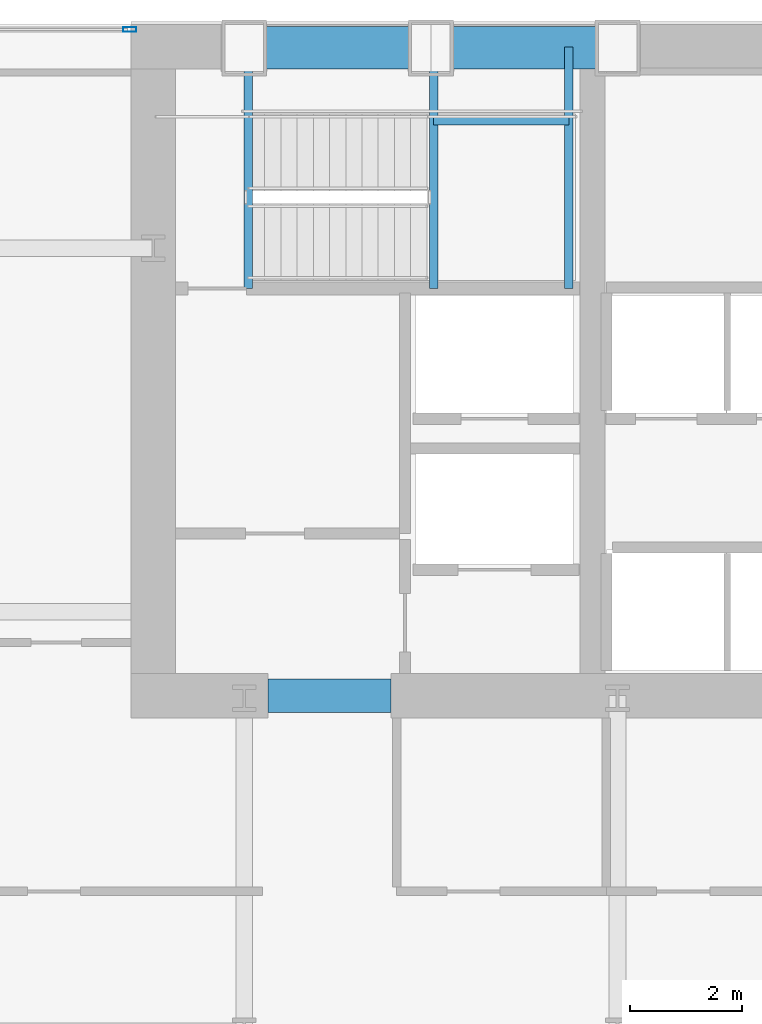
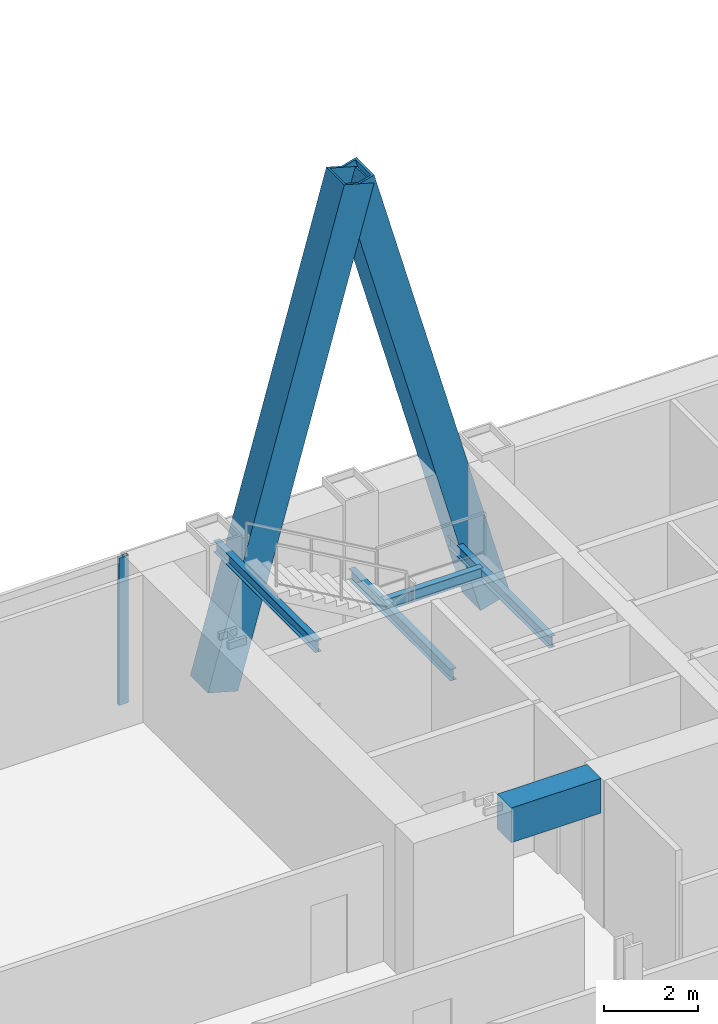
# One storey, part 18 of 35: 5 beams, 3 members, 1 element without a shape of its own.
"""IFC4 building model written with IfcOpenShell, lengths in metres."""

from ifc_helpers import new_model, si_unit, direction, frame, origin, origin_2d, place, context, subcontext, project, spatial, rectangle, hollow_rectangle, i_section, extrude, material, material_profile, profile_set, type_object, element, aggregate, save


model = new_model("IFC4")

# Units and contexts
model_context = context("Model", 3, precision=1e-05, world=origin(), true_north=direction((0.0, 1.0)))
body_context = subcontext(model_context, "Body", "Model", "MODEL_VIEW")
ifc_project = project(units=[si_unit("LENGTHUNIT", "METRE"), si_unit("AREAUNIT", "SQUARE_METRE"), si_unit("VOLUMEUNIT", "CUBIC_METRE"), si_unit("PLANEANGLEUNIT", "RADIAN"), si_unit("MASSUNIT", "GRAM", prefix="KILO")], contexts=[model_context])

# Site, building, storey
site_placement = place(None, origin())
site = spatial("IfcSite", under=ifc_project, at=site_placement, CompositionType="ELEMENT")
building_placement = place(site_placement, origin())
building = spatial("IfcBuilding", under=site, at=building_placement, Name="Khoronbel Lancet Exchange", CompositionType="ELEMENT")
storey_placement = place(building_placement, frame((0.0, 0.0, 37.800048828125)))
storey = spatial("IfcBuildingStorey", under=building, at=storey_placement, Name="L08", CompositionType="ELEMENT", Elevation=37.800048828125)

# Beams
ifc_material_1 = material(Name="Steel S355", Category="steel")
ifc_material_profile_1 = material_profile(ifc_material_1, i_section(OverallWidth=0.14990234375, OverallDepth=0.300048828125, WebThickness=0.007080078125, FlangeThickness=0.0107421875, at=origin_2d()), Name="IPE 300")
ifc_profile_set_1 = profile_set([ifc_material_profile_1], Name="Steel S355")
beam_type_1 = type_object("IfcBeamType", Name="BM-BJ8", PredefinedType="JOIST", material=ifc_profile_set_1)
for number, where, z_axis, x_axis, name in (
    (1, (21.610107421875, 48.97998046875, 1.64990234375), (0.0, 1.0, 0.0), (-1.0, 0.0, 0.0), "Level L08 stair ST1 landing bearer beam 1"),
    (2, (24.030029296875, 48.97998046875, 1.64990234375), (0.0, 1.0, 0.0), (-1.0, 0.0, 0.0), "Level L08 stair ST1 rear landing bearer beam 1"),
):
    element("IfcBeam", number, at=place(storey_placement, frame(where, z_axis=z_axis, x_axis=x_axis)), inside=storey, type_object=beam_type_1, Name=name, PredefinedType="JOIST", context=body_context, shape_type="SweptSolid", body=[
        extrude(i_section(OverallWidth=0.14990234375, OverallDepth=0.300048828125, WebThickness=0.007080078125, FlangeThickness=0.0107421875, at=origin_2d()), origin(), (0.0, 0.0, 1.0), 4.320068359375),
    ])
beam_1_placement = place(storey_placement, frame((21.610107421875, 51.97998046875, 1.64990234375), z_axis=(1.0, 0.0, 0.0), x_axis=(0.0, 1.0, 0.0)))
element("IfcBeam", 3, at=beam_1_placement, inside=storey, type_object=beam_type_1, Name="Level L08 stair ST1 landing cross trimmer beam 1", PredefinedType="JOIST", context=body_context, shape_type="SweptSolid", body=[
    extrude(i_section(OverallWidth=0.14990234375, OverallDepth=0.300048828125, WebThickness=0.007080078125, FlangeThickness=0.0107421875, at=origin_2d()), origin(), (0.0, 0.0, 1.0), 2.419921875),
])
beam_2_placement = place(storey_placement, frame((18.300048828125, 48.97998046875, 3.5400390625), z_axis=(0.0, 1.0, 0.0), x_axis=(-1.0, 0.0, 0.0)))
element("IfcBeam", 4, at=beam_2_placement, inside=storey, type_object=beam_type_1, Name="Level L08 stair ST1 upper-flight arrival trimmer beam", PredefinedType="JOIST", context=body_context, shape_type="SweptSolid", body=[
    extrude(i_section(OverallWidth=0.14990234375, OverallDepth=0.300048828125, WebThickness=0.007080078125, FlangeThickness=0.0107421875, at=origin_2d()), origin(), (0.0, 0.0, 1.0), 4.320068359375),
])
ifc_material_2 = material(Name="Concrete C80/95", Category="concrete")
ifc_material_profile_2 = material_profile(ifc_material_2, rectangle(XDim=0.60009765625, YDim=0.89990234375, at=origin_2d()), Name="RC 600x900")
ifc_profile_set_2 = profile_set([ifc_material_profile_2], Name="Concrete C80/95")
beam_type_2 = type_object("IfcBeamType", Name="BM-BL1", PredefinedType="LINTEL", material=ifc_profile_set_2)
beam_3_placement = place(storey_placement, frame((18.64990234375, 41.699951171875, 3.369873046875), z_axis=(1.0, 0.0, 0.0), x_axis=(0.0, 1.0, 0.0)))
element("IfcBeam", 5, at=beam_3_placement, inside=storey, type_object=beam_type_2, Name="Level L08 rear core coupling lintel L1", PredefinedType="LINTEL", context=body_context, shape_type="SweptSolid", body=[
    extrude(rectangle(XDim=0.60009765625, YDim=0.89990234375, at=origin_2d()), origin(), (0.0, 0.0, 1.0), 2.2001953125),
])

# Curtain wall, member
ifc_material_3 = material(Name="Low-E Solar Control Insulating Glass", Category="glass")
curtain_wall_type = type_object("IfcCurtainWallType", Name="CW-1", PredefinedType="NOTDEFINED", material=ifc_material_3)
curtain_wall_placement = place(storey_placement, origin())
curtain_wall = element("IfcCurtainWall", 6, at=curtain_wall_placement, inside=storey, type_object=curtain_wall_type, Name="Unitised curtain wall CW-L08-NWFLK", PredefinedType="NOTDEFINED")
ifc_material_4 = material(Name="Bronze-Anodised Aluminium 6063-T6", Category="aluminium")
ifc_material_profile_3 = material_profile(ifc_material_4, hollow_rectangle(XDim=0.0849609375, YDim=0.239990234375, WallThickness=0.006103515625, at=origin_2d()), Name="ALU MULLION 85x240")
ifc_profile_set_3 = profile_set([ifc_material_profile_3], Name="Bronze-Anodised Aluminium 6063-T6")
member_type_1 = type_object("IfcMemberType", Name="MEM-CWM1", PredefinedType="MULLION", material=ifc_profile_set_3)
member_placement = place(storey_placement, frame((16.177490234375, 53.610107421875, 0.0), z_axis=(0.0, 0.0, 1.0), x_axis=(0.0, -1.0, 0.0)))
member = element("IfcMember", 7, at=member_placement, type_object=member_type_1, Name="CW1 mullion 1", PredefinedType="MULLION", context=body_context, shape_type="SweptSolid", body=[
    extrude(hollow_rectangle(XDim=0.0849609375, YDim=0.239990234375, WallThickness=0.006103515625, at=origin_2d()), origin(), (0.0, 0.0, 1.0), 3.820068359375),
])
aggregate(curtain_wall, [member])

# Members
ifc_material_5 = material(Name="Steel S460", Category="steel")
ifc_material_profile_4 = material_profile(ifc_material_5, hollow_rectangle(XDim=0.760009765625, YDim=0.760009765625, WallThickness=0.054931640625, at=origin_2d()), Name="BOX 760x760x55")
ifc_profile_set_4 = profile_set([ifc_material_profile_4], Name="Steel S460")
member_type_2 = type_object("IfcMemberType", Name="MEM-MB1", PredefinedType="BRACE", material=ifc_profile_set_4)
for number, where, z_axis, x_axis, name in (
    (8, (18.22509765625, 53.280029296875, 0.0), (0.267947134133, 0.0, 0.963433616452), (0.0, 1.0, 0.0), "Perimeter lancet brace tier 2 N-W-L"),
    (9, (24.89990234375, 53.280029296875, 0.0), (-0.267947134133, 0.0, 0.963433616452), (0.0, -1.0, 0.0), "Perimeter lancet brace tier 2 N-W-R"),
):
    element("IfcMember", number, at=place(storey_placement, frame(where, z_axis=z_axis, x_axis=x_axis)), inside=storey, type_object=member_type_2, Name=name, PredefinedType="BRACE", context=body_context, shape_type="SweptSolid", body=[
        extrude(hollow_rectangle(XDim=0.760009765625, YDim=0.760009765625, WallThickness=0.054931640625, at=origin_2d()), origin(), (0.0, 0.0, 1.0), 12.45556640625),
    ])

save(model, "model.ifc")
